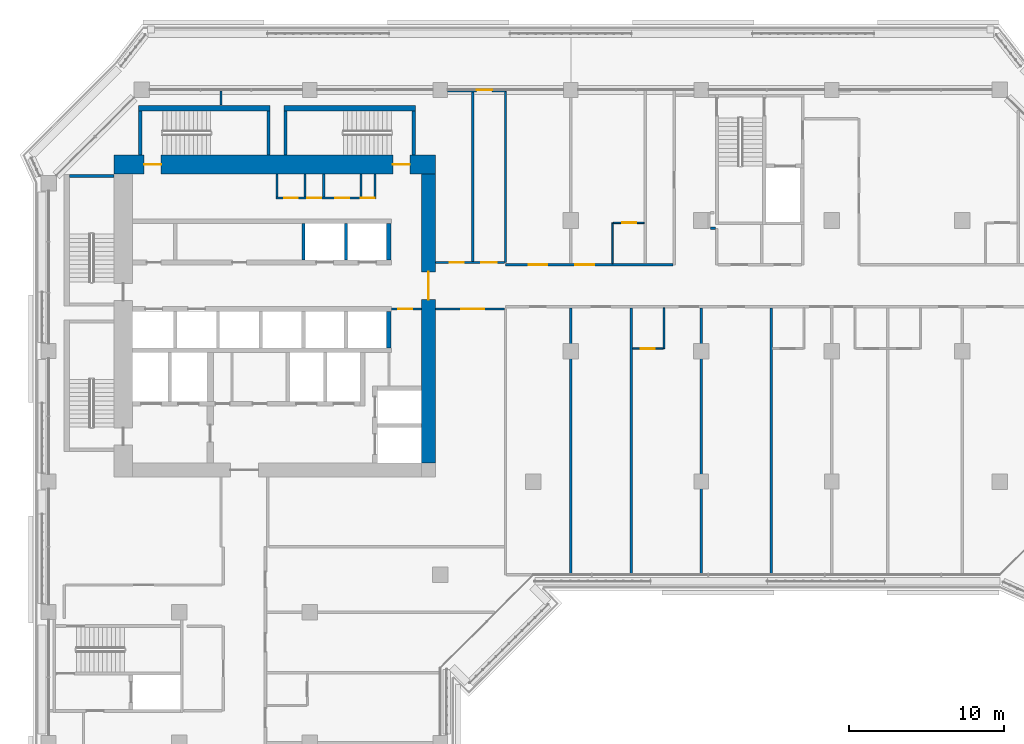
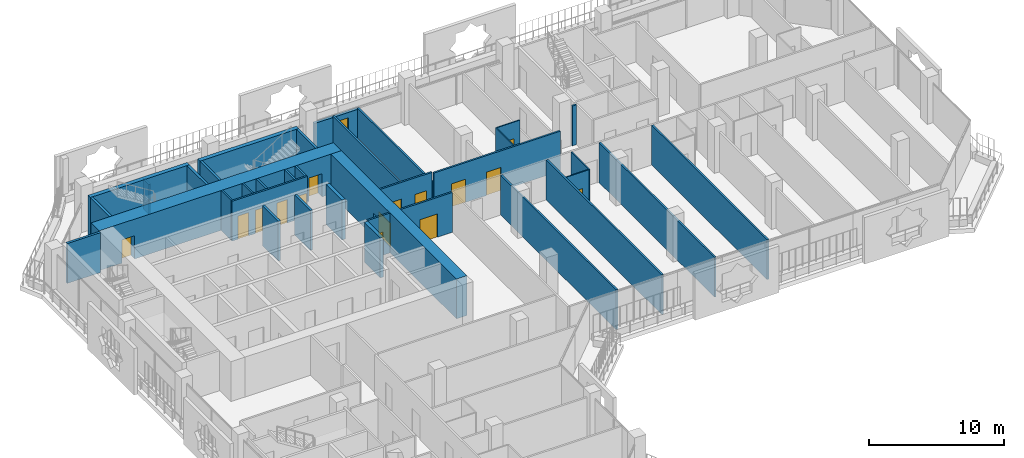
# One storey, part 12 of 21: 36 walls, 16 doors, 16 openings.
"""IFC4 building model written with IfcOpenShell, lengths in metres."""

from ifc_helpers import new_model, si_unit, direction, frame, frame_2d, origin, place, context, subcontext, project, spatial, rectangle, extrude, material, layer, layer_set, type_object, element, fill, save


model = new_model("IFC4")

# Units and contexts
model_context = context("Model", 3, precision=1e-05, world=origin(), true_north=direction((0.0, 1.0)))
body_context = subcontext(model_context, "Body", "Model", "MODEL_VIEW")
ifc_project = project(units=[si_unit("LENGTHUNIT", "METRE"), si_unit("AREAUNIT", "SQUARE_METRE"), si_unit("VOLUMEUNIT", "CUBIC_METRE"), si_unit("PLANEANGLEUNIT", "RADIAN"), si_unit("MASSUNIT", "GRAM", prefix="KILO")], contexts=[model_context])

# Site, building, storey
site_placement = place(None, origin())
site = spatial("IfcSite", under=ifc_project, at=site_placement, CompositionType="ELEMENT")
building_placement = place(site_placement, origin())
building = spatial("IfcBuilding", under=site, at=building_placement, Name="Kawkab Arch Medical Tower", CompositionType="ELEMENT")
storey_placement = place(building_placement, frame((0.0, 0.0, 192.0)))
storey = spatial("IfcBuildingStorey", under=building, at=storey_placement, Name="L44", CompositionType="ELEMENT", Elevation=192.0)

# Wall, openings, doors
ifc_material_1 = material(Name="Concrete C55/67", Category="concrete")
ifc_layer_1 = layer(ifc_material_1, 1.199951171875)
ifc_layer_set_1 = layer_set([ifc_layer_1], Name="Concrete C55/67")
wall_type_1 = type_object("IfcWallType", Name="Core ring wall 1200 C55/67", PredefinedType="SHEAR", material=ifc_layer_set_1)
wall_1_placement = place(storey_placement, frame((4.199951171875, -4.800048828125, 0.0), z_axis=(0.0, 0.0, 1.0), x_axis=(1.0, 0.0, 0.0)))
wall_1 = element("IfcWall", 1, at=wall_1_placement, inside=storey, type_object=wall_type_1, Name="L44 core wall", PredefinedType="SHEAR", context=body_context, shape_type="SweptSolid", body=[
    extrude(rectangle(XDim=20.699951171875, YDim=1.199951171875, at=frame_2d((10.35009765625, 0.0))), origin(), (0.0, 0.0, 1.0), 3.60009765625),
])
opening_1_placement = place(wall_1_placement, frame((1.949951171875, 0.0, 0.0)))
opening_1 = element("IfcOpeningElement", 2, at=opening_1_placement, cuts=wall_1, Name="Opening SD", PredefinedType="OPENING", context=body_context, shape_type="SweptSolid", body=[
    extrude(rectangle(XDim=1.10009765625, YDim=2.10009765625, at=frame_2d((0.550048828125, 1.050048828125))), frame((0.0, 0.60986328125, 0.0), z_axis=(0.0, -1.0, 0.0), x_axis=(1.0, 0.0, 0.0)), (0.0, 0.0, 1.0), 1.219970703125),
])
opening_2_placement = place(wall_1_placement, frame((17.949951171875, 0.0, 0.0)))
opening_2 = element("IfcOpeningElement", 3, at=opening_2_placement, cuts=wall_1, Name="Opening SD", PredefinedType="OPENING", context=body_context, shape_type="SweptSolid", body=[
    extrude(rectangle(XDim=1.10009765625, YDim=2.10009765625, at=frame_2d((0.550048828125, 1.050048828125))), frame((0.0, 0.60986328125, 0.0), z_axis=(0.0, -1.0, 0.0), x_axis=(1.0, 0.0, 0.0)), (0.0, 0.0, 1.0), 1.219970703125),
])
ifc_material_2 = material(Name="Hollow metal fire door leaf")
door_type_1 = type_object("IfcDoorType", Name="Exit stair door 1100", OperationType="SINGLE_SWING_LEFT", PredefinedType="DOOR", material=ifc_material_2)
door_1_placement = place(opening_1_placement, origin())
door_1 = element("IfcDoor", 4, at=door_1_placement, inside=storey, type_object=door_type_1, Name="L44 Exit stair ST3 door", OperationType="SINGLE_SWING_LEFT", OverallHeight=2.10009765625, OverallWidth=1.10009765625, PredefinedType="DOOR", context=body_context, shape_type="SweptSolid", body=[
    extrude(rectangle(XDim=1.10009765625, YDim=2.10009765625, at=frame_2d((0.550048828125, 1.050048828125))), frame((0.0, 0.02490234375, 0.0), z_axis=(0.0, -1.0, 0.0), x_axis=(1.0, 0.0, 0.0)), (0.0, 0.0, 1.0), 0.050048828125),
])
fill(opening_1, door_1)
door_2_placement = place(opening_2_placement, origin())
door_2 = element("IfcDoor", 5, at=door_2_placement, inside=storey, type_object=door_type_1, Name="L44 Exit stair ST4 door", OperationType="SINGLE_SWING_LEFT", OverallHeight=2.10009765625, OverallWidth=1.10009765625, PredefinedType="DOOR", context=body_context, shape_type="SweptSolid", body=[
    extrude(rectangle(XDim=1.10009765625, YDim=2.10009765625, at=frame_2d((0.550048828125, 1.050048828125))), frame((0.0, 0.02490234375, 0.0), z_axis=(0.0, -1.0, 0.0), x_axis=(1.0, 0.0, 0.0)), (0.0, 0.0, 1.0), 0.050048828125),
])
fill(opening_2, door_2)

# Wall, opening, door
ifc_material_3 = material(Name="Concrete C55/67", Category="concrete")
ifc_layer_2 = layer(ifc_material_3, 0.89990234375)
ifc_layer_set_2 = layer_set([ifc_layer_2], Name="Concrete C55/67")
wall_type_2 = type_object("IfcWallType", Name="Core ring wall 900 C55/67", PredefinedType="SHEAR", material=ifc_layer_set_2)
wall_2_placement = place(storey_placement, frame((24.449951171875, -24.0, 0.0), z_axis=(0.0, 0.0, 1.0), x_axis=(0.0, 1.0, 0.0)))
wall_2 = element("IfcWall", 6, at=wall_2_placement, inside=storey, type_object=wall_type_2, Name="L44 core wall", PredefinedType="SHEAR", context=body_context, shape_type="SweptSolid", body=[
    extrude(rectangle(XDim=18.60009765625, YDim=0.89990234375, at=frame_2d((9.300048828125, 0.0))), origin(), (0.0, 0.0, 1.0), 3.60009765625),
])
opening_3_placement = place(wall_2_placement, frame((10.5, 0.0, 0.0)))
opening_3 = element("IfcOpeningElement", 7, at=opening_3_placement, cuts=wall_2, Name="Opening PD", PredefinedType="OPENING", context=body_context, shape_type="SweptSolid", body=[
    extrude(rectangle(XDim=1.800048828125, YDim=2.10009765625, at=frame_2d((0.89990234375, 1.050048828125))), frame((0.0, 0.4599609375, 0.0), z_axis=(0.0, -1.0, 0.0), x_axis=(1.0, 0.0, 0.0)), (0.0, 0.0, 1.0), 0.919921875),
])
ifc_material_4 = material(Name="Hollow metal fire door leaf")
door_type_2 = type_object("IfcDoorType", Name="Core entrance doors 1800", OperationType="DOUBLE_DOOR_SINGLE_SWING", PredefinedType="DOOR", material=ifc_material_4)
door_3_placement = place(opening_3_placement, origin())
door_3 = element("IfcDoor", 8, at=door_3_placement, inside=storey, type_object=door_type_2, Name="L44 East entrance doors", OperationType="DOUBLE_DOOR_SINGLE_SWING", OverallHeight=2.10009765625, OverallWidth=1.800048828125, PredefinedType="DOOR", context=body_context, shape_type="SweptSolid", body=[
    extrude(rectangle(XDim=1.800048828125, YDim=2.10009765625, at=frame_2d((0.89990234375, 1.050048828125))), frame((0.0, 0.02490234375, 0.0), z_axis=(0.0, -1.0, 0.0), x_axis=(1.0, 0.0, 0.0)), (0.0, 0.0, 1.0), 0.050048828125),
])
fill(opening_3, door_3)

ifc_material_5 = material(Name="Gypsum board on steel studs", Category="steel")
ifc_layer_3 = layer(ifc_material_5, 0.14990234375)
ifc_layer_set_3 = layer_set([ifc_layer_3], Name="Gypsum board on steel studs")
wall_type_3 = type_object("IfcWallType", Name="Core room partition 150", PredefinedType="PARTITIONING", material=ifc_layer_set_3)
wall_3_placement = place(storey_placement, frame((22.050048828125, -14.10009765625, 0.0), z_axis=(0.0, 0.0, 1.0), x_axis=(1.0, 0.0, 0.0)))
wall_3 = element("IfcWall", 9, at=wall_3_placement, inside=storey, type_object=wall_type_3, Name="L44 core room partition", PredefinedType="PARTITIONING", context=body_context, shape_type="SweptSolid", body=[
    extrude(rectangle(XDim=1.949951171875, YDim=0.14990234375, at=frame_2d((0.97509765625, 0.0))), origin(), (0.0, 0.0, 1.0), 3.60009765625),
])
opening_4_placement = place(wall_3_placement, frame((0.449951171875, 0.0, 0.0)))
opening_4 = element("IfcOpeningElement", 10, at=opening_4_placement, cuts=wall_3, Name="Opening RD", PredefinedType="OPENING", context=body_context, shape_type="SweptSolid", body=[
    extrude(rectangle(XDim=0.89990234375, YDim=2.10009765625, at=frame_2d((0.449951171875, 1.050048828125))), frame((0.0, 0.0849609375, 0.0), z_axis=(0.0, -1.0, 0.0), x_axis=(1.0, 0.0, 0.0)), (0.0, 0.0, 1.0), 0.169921875),
])
ifc_material_6 = material(Name="Hollow metal fire door leaf")
door_type_3 = type_object("IfcDoorType", Name="Core room door 900", OperationType="SINGLE_SWING_LEFT", PredefinedType="DOOR", material=ifc_material_6)
door_4_placement = place(opening_4_placement, origin())
door_4 = element("IfcDoor", 11, at=door_4_placement, inside=storey, type_object=door_type_3, Name="L44 Data room door", OperationType="SINGLE_SWING_LEFT", OverallHeight=2.10009765625, OverallWidth=0.89990234375, PredefinedType="DOOR", context=body_context, shape_type="SweptSolid", body=[
    extrude(rectangle(XDim=0.89990234375, YDim=2.10009765625, at=frame_2d((0.449951171875, 1.050048828125))), frame((0.0, 0.02490234375, 0.0), z_axis=(0.0, -1.0, 0.0), x_axis=(1.0, 0.0, 0.0)), (0.0, 0.0, 1.0), 0.050048828125),
])
fill(opening_4, door_4)

# Wall, openings, doors
wall_4_placement = place(storey_placement, frame((14.625, -6.949951171875, 0.0), z_axis=(0.0, 0.0, 1.0), x_axis=(1.0, 0.0, 0.0)))
wall_4 = element("IfcWall", 12, at=wall_4_placement, inside=storey, type_object=wall_type_3, Name="L44 core room partition", PredefinedType="PARTITIONING", context=body_context, shape_type="SweptSolid", body=[
    extrude(rectangle(XDim=6.449951171875, YDim=0.14990234375, at=frame_2d((3.22509765625, 0.0))), origin(), (0.0, 0.0, 1.0), 3.60009765625),
])
opening_5_placement = place(wall_4_placement, frame((0.52490234375, 0.0, 0.0)))
opening_5 = element("IfcOpeningElement", 13, at=opening_5_placement, cuts=wall_4, Name="Opening RD", PredefinedType="OPENING", context=body_context, shape_type="SweptSolid", body=[
    extrude(rectangle(XDim=0.89990234375, YDim=2.10009765625, at=frame_2d((0.449951171875, 1.050048828125))), frame((0.0, 0.0849609375, 0.0), z_axis=(0.0, -1.0, 0.0), x_axis=(1.0, 0.0, 0.0)), (0.0, 0.0, 1.0), 0.169921875),
])
opening_6_placement = place(wall_4_placement, frame((2.02490234375, 0.0, 0.0)))
opening_6 = element("IfcOpeningElement", 14, at=opening_6_placement, cuts=wall_4, Name="Opening RD", PredefinedType="OPENING", context=body_context, shape_type="SweptSolid", body=[
    extrude(rectangle(XDim=0.89990234375, YDim=2.10009765625, at=frame_2d((0.449951171875, 1.050048828125))), frame((0.0, 0.0849609375, 0.0), z_axis=(0.0, -1.0, 0.0), x_axis=(1.0, 0.0, 0.0)), (0.0, 0.0, 1.0), 0.169921875),
])
opening_7_placement = place(wall_4_placement, frame((3.824951171875, 0.0, 0.0)))
opening_7 = element("IfcOpeningElement", 15, at=opening_7_placement, cuts=wall_4, Name="Opening RD", PredefinedType="OPENING", context=body_context, shape_type="SweptSolid", body=[
    extrude(rectangle(XDim=0.89990234375, YDim=2.10009765625, at=frame_2d((0.449951171875, 1.050048828125))), frame((0.0, 0.0849609375, 0.0), z_axis=(0.0, -1.0, 0.0), x_axis=(1.0, 0.0, 0.0)), (0.0, 0.0, 1.0), 0.169921875),
])
opening_8_placement = place(wall_4_placement, frame((5.47509765625, 0.0, 0.0)))
opening_8 = element("IfcOpeningElement", 16, at=opening_8_placement, cuts=wall_4, Name="Opening RD", PredefinedType="OPENING", context=body_context, shape_type="SweptSolid", body=[
    extrude(rectangle(XDim=0.89990234375, YDim=2.10009765625, at=frame_2d((0.449951171875, 1.050048828125))), frame((0.0, 0.0849609375, 0.0), z_axis=(0.0, -1.0, 0.0), x_axis=(1.0, 0.0, 0.0)), (0.0, 0.0, 1.0), 0.169921875),
])
door_5_placement = place(opening_5_placement, origin())
door_5 = element("IfcDoor", 17, at=door_5_placement, inside=storey, type_object=door_type_3, Name="L44 Comms room door", OperationType="SINGLE_SWING_LEFT", OverallHeight=2.10009765625, OverallWidth=0.89990234375, PredefinedType="DOOR", context=body_context, shape_type="SweptSolid", body=[
    extrude(rectangle(XDim=0.89990234375, YDim=2.10009765625, at=frame_2d((0.449951171875, 1.050048828125))), frame((0.0, 0.02490234375, 0.0), z_axis=(0.0, -1.0, 0.0), x_axis=(1.0, 0.0, 0.0)), (0.0, 0.0, 1.0), 0.050048828125),
])
fill(opening_5, door_5)
door_6_placement = place(opening_6_placement, origin())
door_6 = element("IfcDoor", 18, at=door_6_placement, inside=storey, type_object=door_type_3, Name="L44 Electrical riser room door", OperationType="SINGLE_SWING_LEFT", OverallHeight=2.10009765625, OverallWidth=0.89990234375, PredefinedType="DOOR", context=body_context, shape_type="SweptSolid", body=[
    extrude(rectangle(XDim=0.89990234375, YDim=2.10009765625, at=frame_2d((0.449951171875, 1.050048828125))), frame((0.0, 0.02490234375, 0.0), z_axis=(0.0, -1.0, 0.0), x_axis=(1.0, 0.0, 0.0)), (0.0, 0.0, 1.0), 0.050048828125),
])
fill(opening_6, door_6)
door_7_placement = place(opening_7_placement, origin())
door_7 = element("IfcDoor", 19, at=door_7_placement, inside=storey, type_object=door_type_3, Name="L44 General store door", OperationType="SINGLE_SWING_LEFT", OverallHeight=2.10009765625, OverallWidth=0.89990234375, PredefinedType="DOOR", context=body_context, shape_type="SweptSolid", body=[
    extrude(rectangle(XDim=0.89990234375, YDim=2.10009765625, at=frame_2d((0.449951171875, 1.050048828125))), frame((0.0, 0.02490234375, 0.0), z_axis=(0.0, -1.0, 0.0), x_axis=(1.0, 0.0, 0.0)), (0.0, 0.0, 1.0), 0.050048828125),
])
fill(opening_7, door_7)
door_8_placement = place(opening_8_placement, origin())
door_8 = element("IfcDoor", 20, at=door_8_placement, inside=storey, type_object=door_type_3, Name="L44 UPS room door", OperationType="SINGLE_SWING_LEFT", OverallHeight=2.10009765625, OverallWidth=0.89990234375, PredefinedType="DOOR", context=body_context, shape_type="SweptSolid", body=[
    extrude(rectangle(XDim=0.89990234375, YDim=2.10009765625, at=frame_2d((0.449951171875, 1.050048828125))), frame((0.0, 0.02490234375, 0.0), z_axis=(0.0, -1.0, 0.0), x_axis=(1.0, 0.0, 0.0)), (0.0, 0.0, 1.0), 0.050048828125),
])
fill(opening_8, door_8)

# Walls
for number, where, z_axis, x_axis, name in (
    (21, (14.699951171875, -6.875, 0.0), (0.0, 0.0, 1.0), (0.0, 1.0, 0.0), "L44 core room partition"),
    (22, (16.5, -6.875, 0.0), (0.0, 0.0, 1.0), (0.0, 1.0, 0.0), "L44 core room partition"),
    (23, (17.699951171875, -6.875, 0.0), (0.0, 0.0, 1.0), (0.0, 1.0, 0.0), "L44 core room partition"),
    (24, (20.10009765625, -6.875, 0.0), (0.0, 0.0, 1.0), (0.0, 1.0, 0.0), "L44 core room partition"),
    (25, (21.0, -6.875, 0.0), (0.0, 0.0, 1.0), (0.0, 1.0, 0.0), "L44 core room partition"),
):
    element("IfcWall", number, at=place(storey_placement, frame(where, z_axis=z_axis, x_axis=x_axis)), inside=storey, type_object=wall_type_3, Name=name, PredefinedType="PARTITIONING", context=body_context, shape_type="SweptSolid", body=[
        extrude(rectangle(XDim=1.47509765625, YDim=0.14990234375, at=frame_2d((0.737548828125, 0.0))), origin(), (0.0, 0.0, 1.0), 3.60009765625),
    ])
ifc_material_7 = material(Name="Concrete C60/75", Category="concrete")
ifc_layer_4 = layer(ifc_material_7, 0.300048828125)
ifc_layer_set_4 = layer_set([ifc_layer_4], Name="Concrete C60/75")
wall_type_4 = type_object("IfcWallType", Name="Core shear wall 300 C60/75", PredefinedType="SHEAR", material=ifc_layer_set_4)
wall_5_placement = place(storey_placement, frame((21.89990234375, -10.949951171875, 0.0), z_axis=(0.0, 0.0, 1.0), x_axis=(0.0, 1.0, 0.0)))
element("IfcWall", 26, at=wall_5_placement, inside=storey, type_object=wall_type_4, Name="L44 core shear wall", PredefinedType="SHEAR", context=body_context, shape_type="SweptSolid", body=[
    extrude(rectangle(XDim=2.349853515625, YDim=0.300048828125, at=frame_2d((1.1748046875, 0.0))), origin(), (0.0, 0.0, 1.0), 3.60009765625),
])
wall_6_placement = place(storey_placement, frame((21.89990234375, -16.60009765625, 0.0), z_axis=(0.0, 0.0, 1.0), x_axis=(0.0, 1.0, 0.0)))
element("IfcWall", 27, at=wall_6_placement, inside=storey, type_object=wall_type_4, Name="L44 core shear wall", PredefinedType="SHEAR", context=body_context, shape_type="SweptSolid", body=[
    extrude(rectangle(XDim=2.35009765625, YDim=0.300048828125, at=frame_2d((1.175048828125, 0.0))), origin(), (0.0, 0.0, 1.0), 3.60009765625),
])

# Wall, opening, door
ifc_material_8 = material(Name="Bronze clad insulated wall panel")
ifc_layer_5 = layer(ifc_material_8, 0.25)
ifc_layer_set_5 = layer_set([ifc_layer_5], Name="Bronze clad insulated wall panel")
wall_type_5 = type_object("IfcWallType", Name="External wall bay 250", PredefinedType="SOLIDWALL", material=ifc_layer_set_5)
wall_7_placement = place(storey_placement, frame((29.39990234375, 0.0, 0.0), z_axis=(0.0, 0.0, 1.0), x_axis=(-1.0, 0.0, 0.0)))
wall_7 = element("IfcWall", 28, at=wall_7_placement, inside=storey, type_object=wall_type_5, Name="External wall bay L44.R11.4.2", PredefinedType="SOLIDWALL", context=body_context, shape_type="SweptSolid", body=[
    extrude(rectangle(XDim=3.724853515625, YDim=0.25, at=frame_2d((1.8623046875, 0.0))), origin(), (0.0, 0.0, 1.0), 2.580078125),
])
opening_9_placement = place(wall_7_placement, frame((0.862548828125, 0.0, 0.0)))
opening_9 = element("IfcOpeningElement", 29, at=opening_9_placement, cuts=wall_7, Name="Opening W39-702", PredefinedType="OPENING", context=body_context, shape_type="SweptSolid", body=[
    extrude(rectangle(XDim=1.0, YDim=2.10009765625, at=frame_2d((0.5, 1.050048828125))), frame((0.0, 0.135009765625, 0.0), z_axis=(0.0, -1.0, 0.0), x_axis=(1.0, 0.0, 0.0)), (0.0, 0.0, 1.0), 0.27001953125),
])
ifc_material_9 = material(Name="Bronze anodised aluminium door with tinted glass", Category="aluminium")
door_type_4 = type_object("IfcDoorType", Name="Single external door 1000 x 2100", OperationType="SINGLE_SWING_LEFT", PredefinedType="DOOR", material=ifc_material_9)
door_9_placement = place(opening_9_placement, origin())
door_9 = element("IfcDoor", 30, at=door_9_placement, inside=storey, type_object=door_type_4, Name="External door L44.R11.4.2", OperationType="SINGLE_SWING_LEFT", OverallHeight=2.10009765625, OverallWidth=1.0, PredefinedType="DOOR", context=body_context, shape_type="SweptSolid", body=[
    extrude(rectangle(XDim=1.0, YDim=2.10009765625, at=frame_2d((0.5, 1.050048828125))), frame((0.0, 0.02490234375, 0.0), z_axis=(0.0, -1.0, 0.0), x_axis=(1.0, 0.0, 0.0)), (0.0, 0.0, 1.0), 0.050048828125),
])
fill(opening_9, door_9)

# Walls
ifc_material_10 = material(Name="Dense concrete blockwork", Category="masonry")
ifc_layer_6 = layer(ifc_material_10, 0.199951171875)
ifc_layer_set_6 = layer_set([ifc_layer_6], Name="Dense concrete blockwork")
wall_type_6 = type_object("IfcWallType", Name="Lift shaft partition 200", PredefinedType="PARTITIONING", material=ifc_layer_set_6)
for number, where, z_axis, x_axis, name in (
    (31, (16.39990234375, -10.949951171875, 0.0), (0.0, 0.0, 1.0), (0.0, 1.0, 0.0), "L44 lift shaft partition"),
    (32, (19.14990234375, -10.949951171875, 0.0), (0.0, 0.0, 1.0), (0.0, 1.0, 0.0), "L44 lift shaft partition"),
):
    element("IfcWall", number, at=place(storey_placement, frame(where, z_axis=z_axis, x_axis=x_axis)), inside=storey, type_object=wall_type_6, Name=name, PredefinedType="PARTITIONING", context=body_context, shape_type="SweptSolid", body=[
        extrude(rectangle(XDim=2.349853515625, YDim=0.199951171875, at=frame_2d((1.1748046875, 0.0))), origin(), (0.0, 0.0, 1.0), 3.60009765625),
    ])

# Wall, opening, door
ifc_material_11 = material(Name="Gypsum board partition on steel studs", Category="steel")
ifc_layer_7 = layer(ifc_material_11, 0.10009765625)
ifc_layer_set_7 = layer_set([ifc_layer_7], Name="Gypsum board partition on steel studs")
wall_type_7 = type_object("IfcWallType", Name="Partition 100", PredefinedType="PARTITIONING", material=ifc_layer_set_7)
wall_8_placement = place(storey_placement, frame((37.574951171875, -16.64990234375, 0.0), z_axis=(0.0, 0.0, 1.0), x_axis=(1.0, 0.0, 0.0)))
wall_8 = element("IfcWall", 33, at=wall_8_placement, inside=storey, type_object=wall_type_7, Name="Partition 100 w004", PredefinedType="PARTITIONING", context=body_context, shape_type="SweptSolid", body=[
    extrude(rectangle(XDim=1.97509765625, YDim=0.10009765625, at=frame_2d((0.987548828125, 0.0))), origin(), (0.0, 0.0, 1.0), 3.60009765625),
])
opening_10_placement = place(wall_8_placement, frame((0.52490234375, 0.0, 0.0)))
opening_10 = element("IfcOpeningElement", 34, at=opening_10_placement, cuts=wall_8, Name="Opening W39-005", PredefinedType="OPENING", context=body_context, shape_type="SweptSolid", body=[
    extrude(rectangle(XDim=0.89990234375, YDim=2.10009765625, at=frame_2d((0.449951171875, 1.050048828125))), frame((0.0, 0.06005859375, 0.0), z_axis=(0.0, -1.0, 0.0), x_axis=(1.0, 0.0, 0.0)), (0.0, 0.0, 1.0), 0.1201171875),
])
ifc_material_12 = material(Name="Timber door leaf", Category="wood")
door_type_5 = type_object("IfcDoorType", Name="Single door 900x2100", OperationType="NOTDEFINED", PredefinedType="DOOR", material=ifc_material_12)
door_10_placement = place(opening_10_placement, origin())
door_10 = element("IfcDoor", 35, at=door_10_placement, inside=storey, type_object=door_type_5, Name="Door W39-005", OperationType="SINGLE_SWING_RIGHT", OverallHeight=2.10009765625, OverallWidth=0.89990234375, PredefinedType="DOOR", context=body_context, shape_type="SweptSolid", body=[
    extrude(rectangle(XDim=0.89990234375, YDim=2.10009765625, at=frame_2d((0.449951171875, 1.050048828125))), frame((0.0, 0.02490234375, 0.0), z_axis=(0.0, -1.0, 0.0), x_axis=(1.0, 0.0, 0.0)), (0.0, 0.0, 1.0), 0.050048828125),
])
fill(opening_10, door_10)

wall_9_placement = place(storey_placement, frame((36.35009765625, -8.550048828125, 0.0), z_axis=(0.0, 0.0, 1.0), x_axis=(1.0, 0.0, 0.0)))
wall_9 = element("IfcWall", 36, at=wall_9_placement, inside=storey, type_object=wall_type_7, Name="Partition 100 w007", PredefinedType="PARTITIONING", context=body_context, shape_type="SweptSolid", body=[
    extrude(rectangle(XDim=1.974853515625, YDim=0.10009765625, at=frame_2d((0.9873046875, 0.0))), origin(), (0.0, 0.0, 1.0), 3.60009765625),
])
opening_11_placement = place(wall_9_placement, frame((0.550048828125, 0.0, 0.0)))
opening_11 = element("IfcOpeningElement", 37, at=opening_11_placement, cuts=wall_9, Name="Opening W39-003", PredefinedType="OPENING", context=body_context, shape_type="SweptSolid", body=[
    extrude(rectangle(XDim=0.89990234375, YDim=2.10009765625, at=frame_2d((0.449951171875, 1.050048828125))), frame((0.0, 0.06005859375, 0.0), z_axis=(0.0, -1.0, 0.0), x_axis=(1.0, 0.0, 0.0)), (0.0, 0.0, 1.0), 0.1201171875),
])
door_11_placement = place(opening_11_placement, origin())
door_11 = element("IfcDoor", 38, at=door_11_placement, inside=storey, type_object=door_type_5, Name="Door W39-003", OperationType="SINGLE_SWING_RIGHT", OverallHeight=2.10009765625, OverallWidth=0.89990234375, PredefinedType="DOOR", context=body_context, shape_type="SweptSolid", body=[
    extrude(rectangle(XDim=0.89990234375, YDim=2.10009765625, at=frame_2d((0.449951171875, 1.050048828125))), frame((0.0, 0.02490234375, 0.0), z_axis=(0.0, -1.0, 0.0), x_axis=(1.0, 0.0, 0.0)), (0.0, 0.0, 1.0), 0.050048828125),
])
fill(opening_11, door_11)

# Walls
for number, where, z_axis, x_axis, name in (
    (39, (36.300048828125, -11.175048828125, 0.0), (0.0, 0.0, 1.0), (0.0, 1.0, 0.0), "Partition 100 w012"),
    (40, (39.60009765625, -16.64990234375, 0.0), (0.0, 0.0, 1.0), (0.0, 1.0, 0.0), "Partition 100 w013"),
):
    element("IfcWall", number, at=place(storey_placement, frame(where, z_axis=z_axis, x_axis=x_axis)), inside=storey, type_object=wall_type_7, Name=name, PredefinedType="PARTITIONING", context=body_context, shape_type="SweptSolid", body=[
        extrude(rectangle(XDim=2.625, YDim=0.10009765625, at=frame_2d((1.3125, 0.0))), origin(), (0.0, 0.0, 1.0), 3.60009765625),
    ])

# Wall, opening, door
ifc_material_13 = material(Name="Gypsum board partition on steel studs, mineral wool", Category="steel")
ifc_layer_8 = layer(ifc_material_13, 0.14990234375)
ifc_layer_set_8 = layer_set([ifc_layer_8], Name="Gypsum board partition on steel studs, mineral wool")
wall_type_8 = type_object("IfcWallType", Name="Partition 150", PredefinedType="PARTITIONING", material=ifc_layer_set_8)
wall_10_placement = place(storey_placement, frame((24.89990234375, -14.10009765625, 0.0), z_axis=(0.0, 0.0, 1.0), x_axis=(1.0, 0.0, 0.0)))
wall_10 = element("IfcWall", 41, at=wall_10_placement, inside=storey, type_object=wall_type_8, Name="Partition 150 w031", PredefinedType="PARTITIONING", context=body_context, shape_type="SweptSolid", body=[
    extrude(rectangle(XDim=4.425048828125, YDim=0.14990234375, at=frame_2d((2.21240234375, 0.0))), origin(), (0.0, 0.0, 1.0), 3.60009765625),
])
opening_12_placement = place(wall_10_placement, frame((1.64990234375, 0.0, 0.0)))
opening_12 = element("IfcOpeningElement", 42, at=opening_12_placement, cuts=wall_10, Name="Opening W39-001", PredefinedType="OPENING", context=body_context, shape_type="SweptSolid", body=[
    extrude(rectangle(XDim=1.5, YDim=2.10009765625, at=frame_2d((0.75, 1.050048828125))), frame((0.0, 0.0849609375, 0.0), z_axis=(0.0, -1.0, 0.0), x_axis=(1.0, 0.0, 0.0)), (0.0, 0.0, 1.0), 0.169921875),
])
ifc_material_14 = material(Name="Hollow metal door leaf")
door_type_6 = type_object("IfcDoorType", Name="Double door 1500x2100 FD30S", OperationType="NOTDEFINED", PredefinedType="DOOR", material=ifc_material_14)
door_12_placement = place(opening_12_placement, origin())
door_12 = element("IfcDoor", 43, at=door_12_placement, inside=storey, type_object=door_type_6, Name="Door W39-001", OperationType="DOUBLE_DOOR_SINGLE_SWING", OverallHeight=2.10009765625, OverallWidth=1.5, PredefinedType="DOOR", context=body_context, shape_type="SweptSolid", body=[
    extrude(rectangle(XDim=1.5, YDim=2.10009765625, at=frame_2d((0.75, 1.050048828125))), frame((0.0, 0.02490234375, 0.0), z_axis=(0.0, -1.0, 0.0), x_axis=(1.0, 0.0, 0.0)), (0.0, 0.0, 1.0), 0.050048828125),
])
fill(opening_12, door_12)

# Wall, openings, doors
wall_11_placement = place(storey_placement, frame((29.39990234375, -11.25, 0.0), z_axis=(0.0, 0.0, 1.0), x_axis=(1.0, 0.0, 0.0)))
wall_11 = element("IfcWall", 44, at=wall_11_placement, inside=storey, type_object=wall_type_8, Name="Partition 150 w033", PredefinedType="PARTITIONING", context=body_context, shape_type="SweptSolid", body=[
    extrude(rectangle(XDim=10.781982421875, YDim=0.14990234375, at=frame_2d((5.39111328125, 0.0))), origin(), (0.0, 0.0, 1.0), 3.60009765625),
])
opening_13_placement = place(wall_11_placement, frame((4.5, 0.0, 0.0)))
opening_13 = element("IfcOpeningElement", 45, at=opening_13_placement, cuts=wall_11, Name="Opening W39-027", PredefinedType="OPENING", context=body_context, shape_type="SweptSolid", body=[
    extrude(rectangle(XDim=1.199951171875, YDim=2.10009765625, at=frame_2d((0.60009765625, 1.050048828125))), frame((0.0, 0.0849609375, 0.0), z_axis=(0.0, -1.0, 0.0), x_axis=(1.0, 0.0, 0.0)), (0.0, 0.0, 1.0), 0.169921875),
])
opening_14_placement = place(wall_11_placement, frame((1.5, 0.0, 0.0)))
opening_14 = element("IfcOpeningElement", 46, at=opening_14_placement, cuts=wall_11, Name="Opening W39-039", PredefinedType="OPENING", context=body_context, shape_type="SweptSolid", body=[
    extrude(rectangle(XDim=1.199951171875, YDim=2.10009765625, at=frame_2d((0.60009765625, 1.050048828125))), frame((0.0, 0.0849609375, 0.0), z_axis=(0.0, -1.0, 0.0), x_axis=(1.0, 0.0, 0.0)), (0.0, 0.0, 1.0), 0.169921875),
])
ifc_material_15 = material(Name="Hollow metal door leaf")
door_type_7 = type_object("IfcDoorType", Name="Single door 1200x2100 FD30S", OperationType="NOTDEFINED", PredefinedType="DOOR", material=ifc_material_15)
door_13_placement = place(opening_13_placement, origin())
door_13 = element("IfcDoor", 47, at=door_13_placement, inside=storey, type_object=door_type_7, Name="Door W39-027", OperationType="SINGLE_SWING_LEFT", OverallHeight=2.10009765625, OverallWidth=1.199951171875, PredefinedType="DOOR", context=body_context, shape_type="SweptSolid", body=[
    extrude(rectangle(XDim=1.199951171875, YDim=2.10009765625, at=frame_2d((0.60009765625, 1.050048828125))), frame((0.0, 0.02490234375, 0.0), z_axis=(0.0, -1.0, 0.0), x_axis=(1.0, 0.0, 0.0)), (0.0, 0.0, 1.0), 0.050048828125),
])
fill(opening_13, door_13)
door_14_placement = place(opening_14_placement, origin())
door_14 = element("IfcDoor", 48, at=door_14_placement, inside=storey, type_object=door_type_7, Name="Door W39-039", OperationType="SINGLE_SWING_LEFT", OverallHeight=2.10009765625, OverallWidth=1.199951171875, PredefinedType="DOOR", context=body_context, shape_type="SweptSolid", body=[
    extrude(rectangle(XDim=1.199951171875, YDim=2.10009765625, at=frame_2d((0.60009765625, 1.050048828125))), frame((0.0, 0.02490234375, 0.0), z_axis=(0.0, -1.0, 0.0), x_axis=(1.0, 0.0, 0.0)), (0.0, 0.0, 1.0), 0.050048828125),
])
fill(opening_14, door_14)

wall_12_placement = place(storey_placement, frame((24.89990234375, -11.10009765625, 0.0), z_axis=(0.0, 0.0, 1.0), x_axis=(1.0, 0.0, 0.0)))
wall_12 = element("IfcWall", 49, at=wall_12_placement, inside=storey, type_object=wall_type_8, Name="Partition 150 w036", PredefinedType="PARTITIONING", context=body_context, shape_type="SweptSolid", body=[
    extrude(rectangle(XDim=4.425048828125, YDim=0.14990234375, at=frame_2d((2.21240234375, 0.0))), origin(), (0.0, 0.0, 1.0), 3.60009765625),
])
opening_15_placement = place(wall_12_placement, frame((0.89990234375, 0.0, 0.0)))
opening_15 = element("IfcOpeningElement", 50, at=opening_15_placement, cuts=wall_12, Name="Opening W39-012", PredefinedType="OPENING", context=body_context, shape_type="SweptSolid", body=[
    extrude(rectangle(XDim=0.89990234375, YDim=2.10009765625, at=frame_2d((0.449951171875, 1.050048828125))), frame((0.0, 0.0849609375, 0.0), z_axis=(0.0, -1.0, 0.0), x_axis=(1.0, 0.0, 0.0)), (0.0, 0.0, 1.0), 0.169921875),
])
opening_16_placement = place(wall_12_placement, frame((2.949951171875, 0.0, 0.0)))
opening_16 = element("IfcOpeningElement", 51, at=opening_16_placement, cuts=wall_12, Name="Opening W39-013", PredefinedType="OPENING", context=body_context, shape_type="SweptSolid", body=[
    extrude(rectangle(XDim=1.0, YDim=2.10009765625, at=frame_2d((0.5, 1.050048828125))), frame((0.0, 0.0849609375, 0.0), z_axis=(0.0, -1.0, 0.0), x_axis=(1.0, 0.0, 0.0)), (0.0, 0.0, 1.0), 0.169921875),
])
ifc_material_16 = material(Name="Timber door leaf", Category="wood")
door_type_8 = type_object("IfcDoorType", Name="Single door 1000x2100", OperationType="NOTDEFINED", PredefinedType="DOOR", material=ifc_material_16)
door_15_placement = place(opening_16_placement, origin())
door_15 = element("IfcDoor", 52, at=door_15_placement, inside=storey, type_object=door_type_8, Name="Door W39-013", OperationType="SINGLE_SWING_RIGHT", OverallHeight=2.10009765625, OverallWidth=1.0, PredefinedType="DOOR", context=body_context, shape_type="SweptSolid", body=[
    extrude(rectangle(XDim=1.0, YDim=2.10009765625, at=frame_2d((0.5, 1.050048828125))), frame((0.0, 0.02490234375, 0.0), z_axis=(0.0, -1.0, 0.0), x_axis=(1.0, 0.0, 0.0)), (0.0, 0.0, 1.0), 0.050048828125),
])
fill(opening_16, door_15)
door_16_placement = place(opening_15_placement, origin())
door_16 = element("IfcDoor", 53, at=door_16_placement, inside=storey, type_object=door_type_5, Name="Door W39-012", OperationType="SINGLE_SWING_LEFT", OverallHeight=2.10009765625, OverallWidth=0.89990234375, PredefinedType="DOOR", context=body_context, shape_type="SweptSolid", body=[
    extrude(rectangle(XDim=0.89990234375, YDim=2.10009765625, at=frame_2d((0.449951171875, 1.050048828125))), frame((0.0, 0.02490234375, 0.0), z_axis=(0.0, -1.0, 0.0), x_axis=(1.0, 0.0, 0.0)), (0.0, 0.0, 1.0), 0.050048828125),
])
fill(opening_15, door_16)

# Walls
wall_13_placement = place(storey_placement, frame((42.575927734375, -8.89990234375, 0.0), z_axis=(0.0, 0.0, 1.0), x_axis=(1.0, 0.0, 0.0)))
element("IfcWall", 54, at=wall_13_placement, inside=storey, type_object=wall_type_8, Name="Partition 150 w037", PredefinedType="PARTITIONING", context=body_context, shape_type="SweptSolid", body=[
    extrude(rectangle(XDim=0.34716796875, YDim=0.14990234375, at=frame_2d((0.173583984375, 0.0))), origin(), (0.0, 0.0, 1.0), 3.60009765625),
])
wall_14_placement = place(storey_placement, frame((11.10009765625, -0.969970703125, 0.0), z_axis=(0.0, 0.0, 1.0), x_axis=(0.0, 1.0, 0.0)))
element("IfcWall", 55, at=wall_14_placement, inside=storey, type_object=wall_type_8, Name="Partition 150 w045", PredefinedType="PARTITIONING", context=body_context, shape_type="SweptSolid", body=[
    extrude(rectangle(XDim=0.889892578125, YDim=0.14990234375, at=frame_2d((0.44482421875, 0.0))), origin(), (0.0, 0.0, 1.0), 2.699951171875),
])
wall_15_placement = place(storey_placement, frame((27.300048828125, -11.02490234375, 0.0), z_axis=(0.0, 0.0, 1.0), x_axis=(0.0, 1.0, 0.0)))
element("IfcWall", 56, at=wall_15_placement, inside=storey, type_object=wall_type_8, Name="Partition 150 w051", PredefinedType="PARTITIONING", context=body_context, shape_type="SweptSolid", body=[
    extrude(rectangle(XDim=10.94482421875, YDim=0.14990234375, at=frame_2d((5.472412109375, 0.0))), origin(), (0.0, 0.0, 1.0), 2.699951171875),
])
wall_16_placement = place(storey_placement, frame((29.39990234375, -11.10009765625, 0.0), z_axis=(0.0, 0.0, 1.0), x_axis=(0.0, 1.0, 0.0)))
element("IfcWall", 57, at=wall_16_placement, inside=storey, type_object=wall_type_8, Name="Partition 150 w053", PredefinedType="PARTITIONING", context=body_context, shape_type="SweptSolid", body=[
    extrude(rectangle(XDim=11.02001953125, YDim=0.14990234375, at=frame_2d((5.510009765625, 0.0))), origin(), (0.0, 0.0, 1.0), 2.699951171875),
])
for number, where, z_axis, x_axis, name in (
    (58, (33.60009765625, -31.1201171875, 0.0), (0.0, 0.0, 1.0), (0.0, 1.0, 0.0), "Partition 150 w054"),
    (59, (37.5, -31.1201171875, 0.0), (0.0, 0.0, 1.0), (0.0, 1.0, 0.0), "Partition 150 w056"),
    (60, (42.0, -31.1201171875, 0.0), (0.0, 0.0, 1.0), (0.0, 1.0, 0.0), "Partition 150 w059"),
    (61, (46.5, -31.1201171875, 0.0), (0.0, 0.0, 1.0), (0.0, 1.0, 0.0), "Partition 150 w063"),
):
    element("IfcWall", number, at=place(storey_placement, frame(where, z_axis=z_axis, x_axis=x_axis)), inside=storey, type_object=wall_type_8, Name=name, PredefinedType="PARTITIONING", context=body_context, shape_type="SweptSolid", body=[
        extrude(rectangle(XDim=17.09521484375, YDim=0.14990234375, at=frame_2d((8.547607421875, 0.0))), origin(), (0.0, 0.0, 1.0), 3.60009765625),
    ])
ifc_material_17 = material(Name="Concrete C50/60", Category="concrete")
ifc_layer_9 = layer(ifc_material_17, 0.199951171875)
ifc_layer_set_9 = layer_set([ifc_layer_9], Name="Concrete C50/60")
wall_type_9 = type_object("IfcWallType", Name="Stair enclosure wall 200 C50/60", PredefinedType="SHEAR", material=ifc_layer_set_9)
for number, where, z_axis, x_axis, name in (
    (62, (1.35009765625, -5.550048828125, 0.0), (0.0, 0.0, 1.0), (1.0, 0.0, 0.0), "L44 stair enclosure wall"),
    (63, (5.89990234375, -4.199951171875, 0.0), (0.0, 0.0, 1.0), (0.0, 1.0, 0.0), "L44 stair enclosure wall"),
    (64, (14.14990234375, -4.199951171875, 0.0), (0.0, 0.0, 1.0), (0.0, 1.0, 0.0), "L44 stair enclosure wall"),
    (65, (15.25, -4.199951171875, 0.0), (0.0, 0.0, 1.0), (0.0, 1.0, 0.0), "L44 stair enclosure wall"),
    (66, (23.5, -4.199951171875, 0.0), (0.0, 0.0, 1.0), (0.0, 1.0, 0.0), "L44 stair enclosure wall"),
):
    element("IfcWall", number, at=place(storey_placement, frame(where, z_axis=z_axis, x_axis=x_axis)), inside=storey, type_object=wall_type_9, Name=name, PredefinedType="SHEAR", context=body_context, shape_type="SweptSolid", body=[
        extrude(rectangle(XDim=2.849853515625, YDim=0.199951171875, at=frame_2d((1.4248046875, 0.0))), origin(), (0.0, 0.0, 1.0), 3.60009765625),
    ])
ifc_material_18 = material(Name="Concrete C50/60", Category="concrete")
ifc_layer_10 = layer(ifc_material_18, 0.35009765625)
ifc_layer_set_10 = layer_set([ifc_layer_10], Name="Concrete C50/60")
wall_type_10 = type_object("IfcWallType", Name="Stair enclosure wall 350 C50/60", PredefinedType="SHEAR", material=ifc_layer_set_10)
wall_17_placement = place(storey_placement, frame((5.800048828125, -1.175048828125, 0.0), z_axis=(0.0, 0.0, 1.0), x_axis=(1.0, 0.0, 0.0)))
element("IfcWall", 67, at=wall_17_placement, inside=storey, type_object=wall_type_10, Name="L44 stair enclosure wall", PredefinedType="SHEAR", context=body_context, shape_type="SweptSolid", body=[
    extrude(rectangle(XDim=8.449951171875, YDim=0.35009765625, at=frame_2d((4.22509765625, 0.0))), origin(), (0.0, 0.0, 1.0), 3.60009765625),
])
wall_18_placement = place(storey_placement, frame((15.14990234375, -1.175048828125, 0.0), z_axis=(0.0, 0.0, 1.0), x_axis=(1.0, 0.0, 0.0)))
element("IfcWall", 68, at=wall_18_placement, inside=storey, type_object=wall_type_10, Name="L44 stair enclosure wall", PredefinedType="SHEAR", context=body_context, shape_type="SweptSolid", body=[
    extrude(rectangle(XDim=8.4501953125, YDim=0.35009765625, at=frame_2d((4.22509765625, 0.0))), origin(), (0.0, 0.0, 1.0), 3.60009765625),
])

save(model, "model.ifc")
